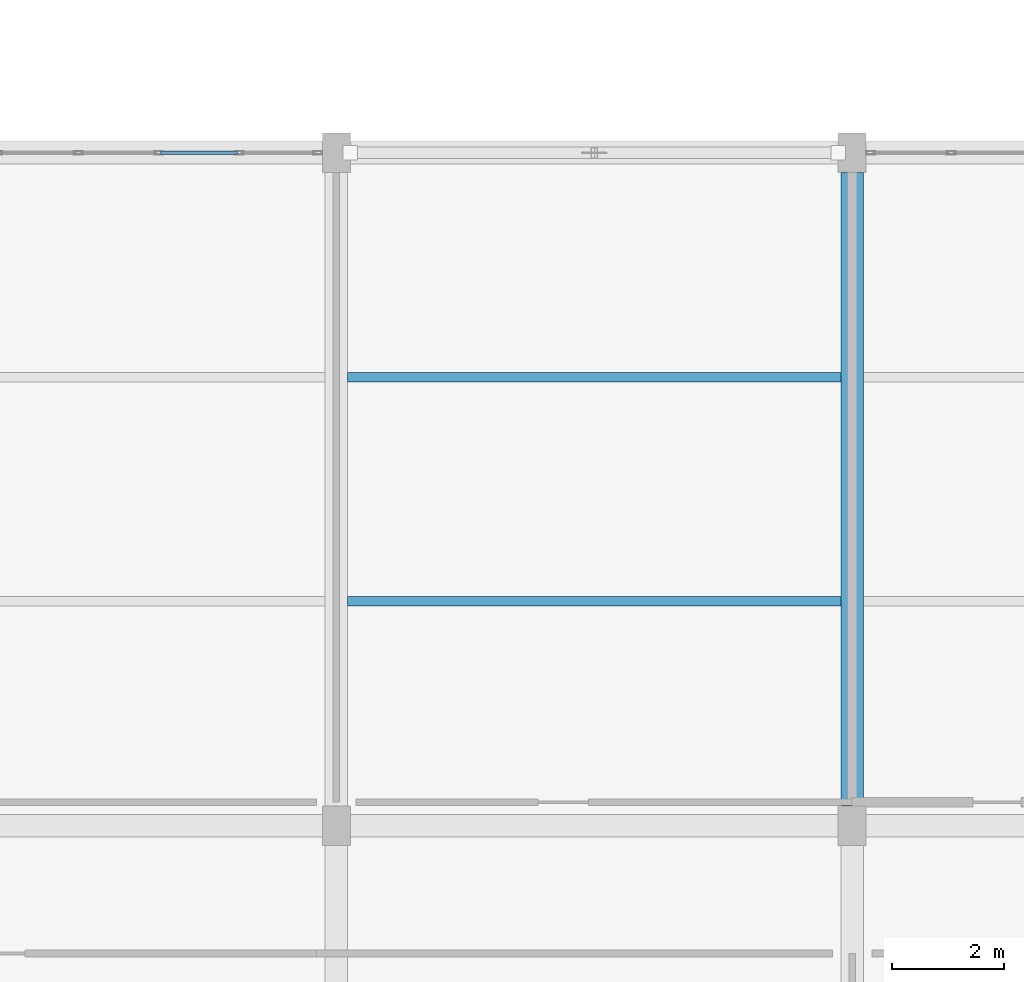
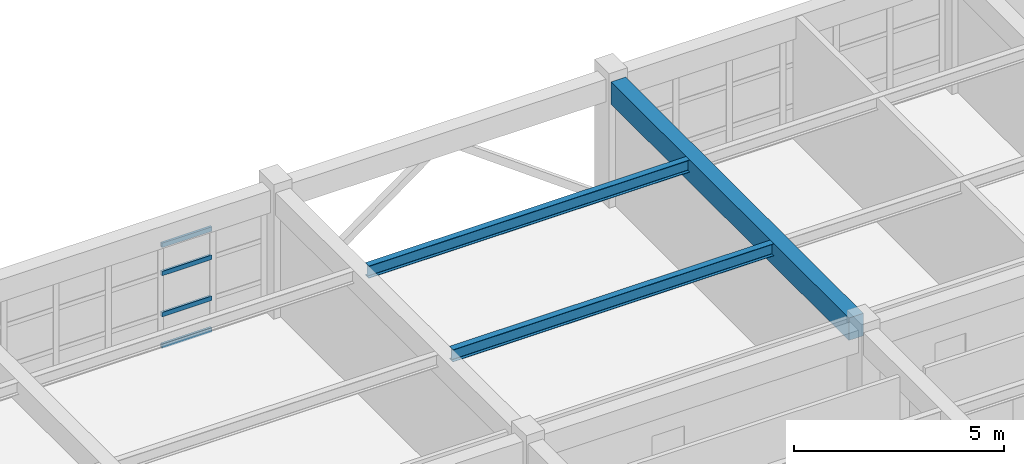
# One storey, part 28 of 150: 4 members, 3 beams, 1 element without a shape of its own.
"""IFC4 building model written with IfcOpenShell, lengths in metres."""

import ifcopenshell
import ifcopenshell.guid

model = None  # the IFC model being written
_history = None  # IfcOwnerHistory: only IFC2X3 demands one
_inside = {}  # id of a spatial element -> (the spatial element, [elements in it])
_under = {}  # id of a project, library or spatial element -> (it, [spatial elements below it])
_declared = {}  # id of a project -> (the project, [libraries it declares])
_typed = {}  # id of a type object -> (the type object, [elements of that type])
_made_of = {}  # id of a material, layer set ... -> (it, [elements and type objects made of it])


def new_model(schema):
    """Start an empty IFC model of exactly this schema.

    Asked for "IFC4X3", IfcOpenShell would pick the latest addendum, in which some entities
    have other attributes; the version numbers below select the first issue.
    IFC2X3 requires an IfcOwnerHistory on every rooted entity: one is made here for all.
    """
    global model, _history
    if schema == "IFC4X3":
        model = ifcopenshell.file(schema_version=(4, 3, 0, 0))
    else:
        model = ifcopenshell.file(schema=schema)
    _inside.clear()
    _under.clear()
    _declared.clear()
    _typed.clear()
    _made_of.clear()
    _history = None
    if model.schema == "IFC2X3":
        org = make("IfcOrganization", Name="unknown")
        user = make(
            "IfcPersonAndOrganization",
            ThePerson=make("IfcPerson", FamilyName="unknown"),
            TheOrganization=org,
        )
        app = make(
            "IfcApplication",
            ApplicationDeveloper=org,
            Version="unknown",
            ApplicationFullName="unknown",
            ApplicationIdentifier="unknown",
        )
        _history = make(
            "IfcOwnerHistory",
            OwningUser=user,
            OwningApplication=app,
            ChangeAction="ADDED",
            CreationDate=0,
        )
    return model


def make(cls, **values):
    """One entity of the class cls with the attributes given. An attribute that is None is left unset."""
    return model.create_entity(
        cls, **{name: value for name, value in values.items() if value is not None}
    )


def rooted(cls, **values):
    """An entity with a GlobalId (a new one), such as an element, a storey or a relation."""
    return make(cls, GlobalId=ifcopenshell.guid.new(), OwnerHistory=_history, **values)


def si_unit(unit_type, name, prefix=None):
    """IfcSIUnit, for example si_unit("LENGTHUNIT", "METRE", prefix="MILLI")."""
    return make("IfcSIUnit", UnitType=unit_type, Prefix=prefix, Name=name)


def assignment(units):
    """IfcUnitAssignment: the units of a project."""
    return None if units is None else make("IfcUnitAssignment", Units=units)


def point(xyz):
    """IfcCartesianPoint."""
    return None if xyz is None else make("IfcCartesianPoint", Coordinates=xyz)


def direction(xyz):
    """IfcDirection."""
    return None if xyz is None else make("IfcDirection", DirectionRatios=xyz)


def frame(location, z_axis=None, x_axis=None):
    """IfcAxis2Placement3D, a coordinate frame: its origin and axes. An axis left out is left unset."""
    return make(
        "IfcAxis2Placement3D",
        Location=point(location),
        Axis=direction(z_axis),
        RefDirection=direction(x_axis),
    )


def frame_2d(location, x_axis=None):
    """IfcAxis2Placement2D, a coordinate frame in the plane: its origin and x axis."""
    return make(
        "IfcAxis2Placement2D", Location=point(location), RefDirection=direction(x_axis)
    )


def origin():
    """The frame at (0, 0, 0) with its axes left unset."""
    return frame((0.0, 0.0, 0.0))


def origin_2d():
    """The frame at (0, 0) in the plane with its x axis left unset."""
    return frame_2d((0.0, 0.0))


def place(relative_to, where):
    """IfcLocalPlacement: puts the frame where relative to a parent placement (None: the world)."""
    return make(
        "IfcLocalPlacement", PlacementRelTo=relative_to, RelativePlacement=where
    )


def context(
    kind, dimensions, precision=None, world=None, true_north=None, identifier=None
):
    """IfcGeometricRepresentationContext, for example the 3D "Model" context."""
    return make(
        "IfcGeometricRepresentationContext",
        ContextIdentifier=identifier,
        ContextType=kind,
        CoordinateSpaceDimension=dimensions,
        Precision=precision,
        WorldCoordinateSystem=world,
        TrueNorth=true_north,
    )


def subcontext(parent, identifier, kind, view, scale=None):
    """IfcGeometricRepresentationSubContext, for example "Body" below "Model"."""
    return make(
        "IfcGeometricRepresentationSubContext",
        ContextIdentifier=identifier,
        ContextType=kind,
        ParentContext=parent,
        TargetScale=scale,
        TargetView=view,
    )


def project(units=None, contexts=None):
    """IfcProject with its units and contexts."""
    return rooted(
        "IfcProject",
        Name="project",
        RepresentationContexts=contexts,
        UnitsInContext=assignment(units),
    )


def spatial(cls, under=None, at=None, **own):
    """A site, building, storey or space (cls), placed at a placement, below another one or the project."""
    s = rooted(cls, ObjectPlacement=at, **own)
    if under is not None:
        _under.setdefault(under.id(), (under, []))[1].append(s)
    return s


def profile(cls, at=None, kind="AREA", **sizes):
    """A parametric profile (cls). Its sizes go by their IFC names, for example OverallWidth=200.0."""
    return make(cls, ProfileType=kind, Position=at, **sizes)


def rectangle(**sizes):
    """IfcRectangleProfileDef."""
    return profile("IfcRectangleProfileDef", **sizes)


def hollow_rectangle(**sizes):
    """IfcRectangleHollowProfileDef."""
    return profile("IfcRectangleHollowProfileDef", **sizes)


def i_section(**sizes):
    """IfcIShapeProfileDef."""
    return profile("IfcIShapeProfileDef", **sizes)


def extrude(swept, where, along, depth):
    """IfcExtrudedAreaSolid: the profile swept, set in the frame where, extruded along a direction by depth."""
    return make(
        "IfcExtrudedAreaSolid",
        SweptArea=swept,
        Position=where,
        ExtrudedDirection=direction(along),
        Depth=depth,
    )


def shape(context_of_items, identifier, shape_type, items):
    """IfcShapeRepresentation: the items that make up one representation, for example the "Body"."""
    return make(
        "IfcShapeRepresentation",
        ContextOfItems=context_of_items,
        RepresentationIdentifier=identifier,
        RepresentationType=shape_type,
        Items=items,
    )


def material(Name=None, Category=None):
    """IfcMaterial."""
    return make("IfcMaterial", Name=Name, Category=Category)


def material_profile(
    of_material, cross_section, Name=None, Category=None, Priority=None
):
    """IfcMaterialProfile: a cross section and its material."""
    return make(
        "IfcMaterialProfile",
        Name=Name,
        Material=of_material,
        Profile=cross_section,
        Priority=Priority,
        Category=Category,
    )


def profile_set(profiles, Name=None, composite=None):
    """IfcMaterialProfileSet."""
    return make(
        "IfcMaterialProfileSet",
        Name=Name,
        MaterialProfiles=profiles,
        CompositeProfile=composite,
    )


def made_of(thing, what):
    """Note that an element or type object is made of a material, layer set ...; save() writes the relation."""
    if what is not None:
        _made_of.setdefault(what.id(), (what, []))[1].append(thing)
    return thing


def type_object(cls, material=None, **own):
    """A type object (cls), such as IfcWallType, which elements share."""
    return made_of(rooted(cls, **own), material)


def element(
    cls,
    number,
    at=None,
    inside=None,
    cuts=None,
    type_object=None,
    material=None,
    context=None,
    identifier="Body",
    shape_type=None,
    held_by="IfcProductDefinitionShape",
    body=None,
    shapes=None,
    **own,
):
    """One element of the class cls, such as IfcWall. Its Tag is "e" and its number.

    at: its placement. inside: the storey or other place that contains it. cuts: it is an
    opening in that element (IfcRelVoidsElement). A single representation is given by context,
    identifier, shape_type and body (its items); several are given by shapes. held_by: the class
    of the entity that holds the representations. save() writes the other relations.
    """
    e = rooted(cls, Tag="e%d" % number, ObjectPlacement=at, **own)
    if body is not None:
        shapes = [shape(context, identifier, shape_type, body)]
    if shapes is not None:
        e.Representation = make(held_by, Representations=shapes)
    if inside is not None:
        _inside.setdefault(inside.id(), (inside, []))[1].append(e)
    if cuts is not None:
        rooted(
            "IfcRelVoidsElement", RelatingBuildingElement=cuts, RelatedOpeningElement=e
        )
    if type_object is not None:
        _typed.setdefault(type_object.id(), (type_object, []))[1].append(e)
    return made_of(e, material)


def aggregate(whole, parts):
    """IfcRelAggregates: a whole, such as a stair, and the parts it consists of."""
    return rooted("IfcRelAggregates", RelatingObject=whole, RelatedObjects=parts)


def save(model, path):
    """Write the relations noted so far, then the file.

    IfcRelAggregates (storeys below a building ...), IfcRelContainedInSpatialStructure (elements
    in a storey), IfcRelDefinesByType, IfcRelAssociatesMaterial and IfcRelDeclares: one each for
    every whole, place, type object, material and project.
    """
    for whole, parts in _under.values():
        aggregate(whole, parts)
    for where, things in _inside.values():
        rooted(
            "IfcRelContainedInSpatialStructure",
            RelatedElements=things,
            RelatingStructure=where,
        )
    for kind, things in _typed.values():
        rooted("IfcRelDefinesByType", RelatedObjects=things, RelatingType=kind)
    for what, things in _made_of.values():
        rooted("IfcRelAssociatesMaterial", RelatedObjects=things, RelatingMaterial=what)
    for by, libraries in _declared.values():
        rooted("IfcRelDeclares", RelatingContext=by, RelatedDefinitions=libraries)
    model.write(path)


model = new_model("IFC4")

# Units and contexts
model_context = context("Model", 3, precision=1e-05, world=origin(), true_north=direction((0.0, 1.0)))
body_context = subcontext(model_context, "Body", "Model", "MODEL_VIEW")
ifc_project = project(units=[si_unit("LENGTHUNIT", "METRE"), si_unit("AREAUNIT", "SQUARE_METRE"), si_unit("VOLUMEUNIT", "CUBIC_METRE"), si_unit("PLANEANGLEUNIT", "RADIAN"), si_unit("MASSUNIT", "GRAM", prefix="KILO")], contexts=[model_context])

# Site, building, storey
site_placement = place(None, origin())
site = spatial("IfcSite", under=ifc_project, at=site_placement, CompositionType="ELEMENT")
building_placement = place(site_placement, origin())
building = spatial("IfcBuilding", under=site, at=building_placement, Name="Kestramere Prow Commons", CompositionType="ELEMENT")
storey_placement = place(building_placement, frame((0.0, 0.0, 4.5)))
storey = spatial("IfcBuildingStorey", under=building, at=storey_placement, Name="L01", CompositionType="ELEMENT", Elevation=4.5)

# Beam
ifc_material_1 = material(Name="Precast concrete C40/50", Category="concrete")
ifc_material_profile_1 = material_profile(ifc_material_1, rectangle(XDim=0.39990234375, YDim=0.64990234375, at=origin_2d()), Name="PC-BM 400x650")
ifc_profile_set_1 = profile_set([ifc_material_profile_1], Name="Precast concrete C40/50")
beam_type_1 = type_object("IfcBeamType", Name="BM-MK-01 PC-BM 400x650", PredefinedType="BEAM", material=ifc_profile_set_1)
beam_placement = place(storey_placement, frame((94.199951171875, 12.35009765625, 3.324951171875), z_axis=(0.0, 1.0, 0.0), x_axis=(-1.0, 0.0, 0.0)))
element("IfcBeam", 1, at=beam_placement, inside=storey, type_object=beam_type_1, Name="Market Spine L01 Beam Y 5-2", PredefinedType="BEAM", context=body_context, shape_type="SweptSolid", body=[
    extrude(rectangle(XDim=0.39990234375, YDim=0.64990234375, at=origin_2d()), origin(), (0.0, 0.0, 1.0), 11.2998046875),
])

# Curtain wall, members
ifc_material_2 = material(Name="Anodised Aluminium and Low-E Glass", Category="aluminium")
curtain_wall_type = type_object("IfcCurtainWallType", Name="CW-25 Glazed Curtain Wall 8600x2990", PredefinedType="USERDEFINED", material=ifc_material_2)
curtain_wall_placement = place(storey_placement, origin())
curtain_wall = element("IfcCurtainWall", 2, at=curtain_wall_placement, inside=storey, type_object=curtain_wall_type, Name="Market L01 Courtyard Shopfront 3", ObjectType="GLAZED CURTAIN WALL", PredefinedType="USERDEFINED")
ifc_material_3 = material(Name="Anodised Aluminium 6063-T6", Category="aluminium")
ifc_material_profile_2 = material_profile(ifc_material_3, hollow_rectangle(XDim=0.06494140625, YDim=0.1298828125, WallThickness=0.00390625, at=origin_2d()), Name="ALU-TRN 65x130")
ifc_profile_set_2 = profile_set([ifc_material_profile_2], Name="Anodised Aluminium 6063-T6")
member_type = type_object("IfcMemberType", Name="CW-TRN-65x130", PredefinedType="USERDEFINED", material=ifc_profile_set_2)
member_1_placement = place(storey_placement, frame((81.86572265625, 24.0, 0.032470703125), z_axis=(1.0, 0.0, 0.0), x_axis=(0.0, 1.0, 0.0)))
member_1 = element("IfcMember", 3, at=member_1_placement, type_object=member_type, Name="CW-25 transom 5.1", ObjectType="TRANSOM", PredefinedType="USERDEFINED", context=body_context, shape_type="SweptSolid", body=[
    extrude(hollow_rectangle(XDim=0.06494140625, YDim=0.1298828125, WallThickness=0.00390625, at=origin_2d()), origin(), (0.0, 0.0, 1.0), 1.368408203125),
])
member_2_placement = place(storey_placement, frame((81.86572265625, 24.0, 0.949951171875), z_axis=(1.0, 0.0, 0.0), x_axis=(0.0, 1.0, 0.0)))
member_2 = element("IfcMember", 4, at=member_2_placement, type_object=member_type, Name="CW-25 transom 5.2", ObjectType="TRANSOM", PredefinedType="USERDEFINED", context=body_context, shape_type="SweptSolid", body=[
    extrude(hollow_rectangle(XDim=0.06494140625, YDim=0.1298828125, WallThickness=0.00390625, at=origin_2d()), origin(), (0.0, 0.0, 1.0), 1.368408203125),
])
member_3_placement = place(storey_placement, frame((81.86572265625, 24.0, 2.139892578125), z_axis=(1.0, 0.0, 0.0), x_axis=(0.0, 1.0, 0.0)))
member_3 = element("IfcMember", 5, at=member_3_placement, type_object=member_type, Name="CW-25 transom 5.3", ObjectType="TRANSOM", PredefinedType="USERDEFINED", context=body_context, shape_type="SweptSolid", body=[
    extrude(hollow_rectangle(XDim=0.06494140625, YDim=0.1298828125, WallThickness=0.00390625, at=origin_2d()), origin(), (0.0, 0.0, 1.0), 1.368408203125),
])
member_4_placement = place(storey_placement, frame((81.86572265625, 24.0, 2.95751953125), z_axis=(1.0, 0.0, 0.0), x_axis=(0.0, 1.0, 0.0)))
member_4 = element("IfcMember", 6, at=member_4_placement, type_object=member_type, Name="CW-25 transom 5.4", ObjectType="TRANSOM", PredefinedType="USERDEFINED", context=body_context, shape_type="SweptSolid", body=[
    extrude(hollow_rectangle(XDim=0.06494140625, YDim=0.1298828125, WallThickness=0.00390625, at=origin_2d()), origin(), (0.0, 0.0, 1.0), 1.368408203125),
])
aggregate(curtain_wall, [member_1, member_2, member_3, member_4])

# Beams
ifc_material_4 = material(Name="Steel S355JR", Category="steel")
ifc_material_profile_3 = material_profile(ifc_material_4, i_section(OverallWidth=0.17138671875, OverallDepth=0.35498046875, WebThickness=0.00732421875, FlangeThickness=0.011474609375, FilletRadius=0.01025390625, at=origin_2d()), Name="UB 356x171x51")
ifc_profile_set_3 = profile_set([ifc_material_profile_3], Name="Steel S355JR")
beam_type_2 = type_object("IfcBeamType", Name="JST-MK-01 UB 356x171x51", PredefinedType="JOIST", material=ifc_profile_set_3)
for number, where, z_axis, x_axis, name in (
    (7, (85.199951171875, 16.0, 3.472412109375), (1.0, 0.0, 0.0), (0.0, 1.0, 0.0), "Market Spine L01 Secondary Joist 4-16"),
    (8, (85.199951171875, 20.0, 3.472412109375), (1.0, 0.0, 0.0), (0.0, 1.0, 0.0), "Market Spine L01 Secondary Joist 4-20"),
):
    element("IfcBeam", number, at=place(storey_placement, frame(where, z_axis=z_axis, x_axis=x_axis)), inside=storey, type_object=beam_type_2, Name=name, PredefinedType="JOIST", context=body_context, shape_type="SweptSolid", body=[
        extrude(i_section(OverallWidth=0.17138671875, OverallDepth=0.35498046875, WebThickness=0.00732421875, FlangeThickness=0.011474609375, FilletRadius=0.01025390625, at=origin_2d()), origin(), (0.0, 0.0, 1.0), 8.800048828125),
    ])

save(model, "model.ifc")
